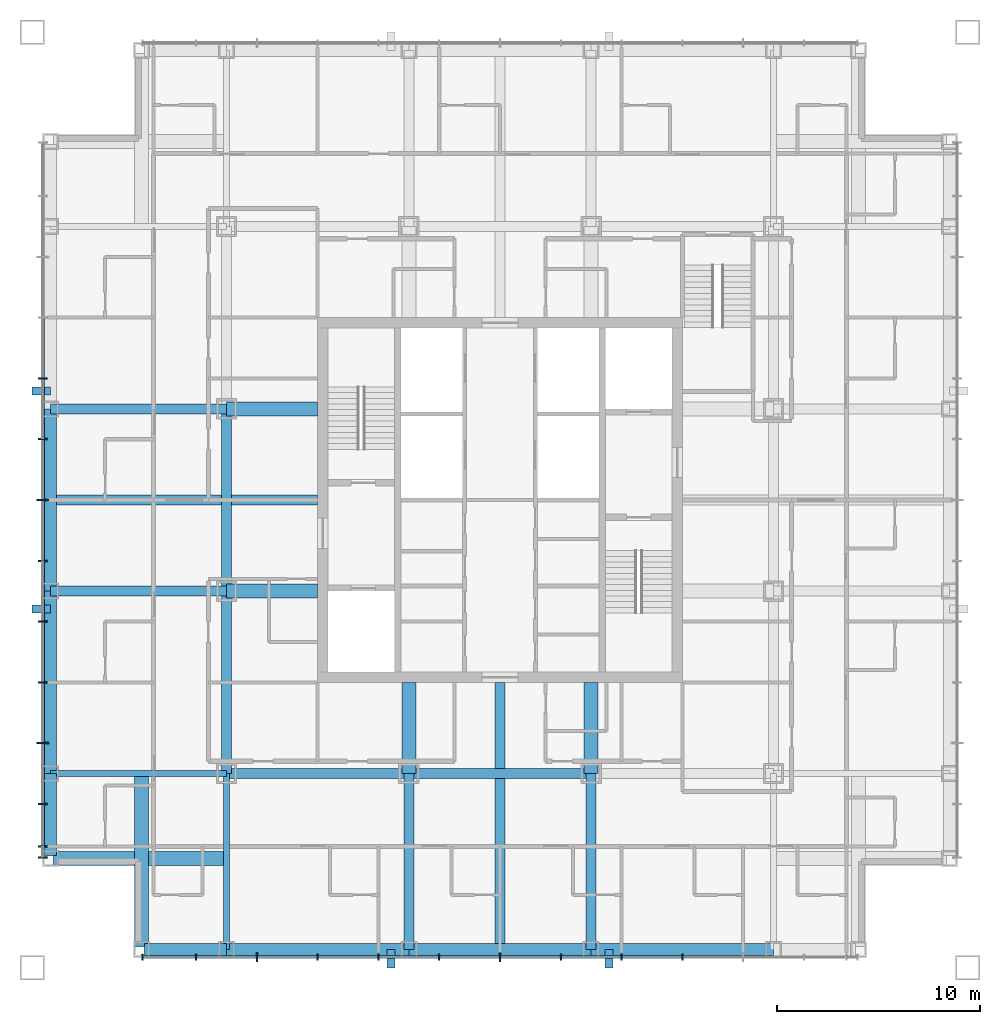
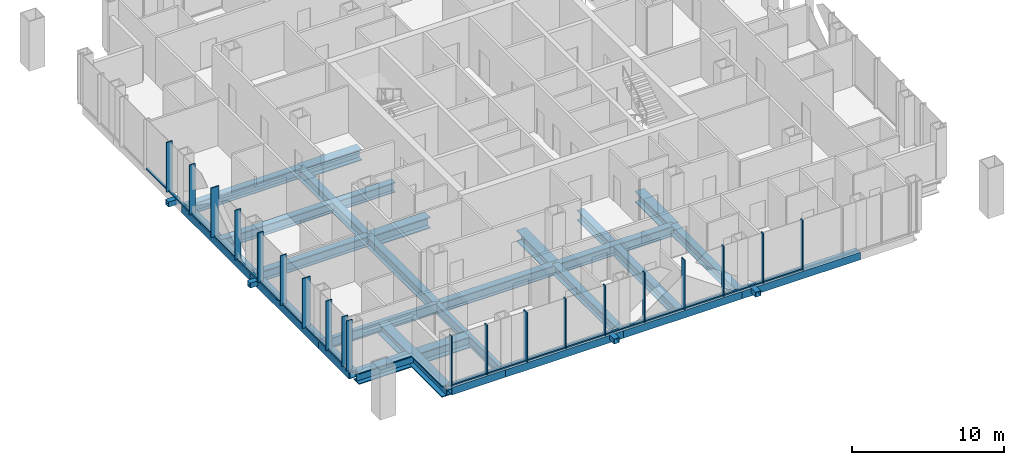
# One storey, part 2 of 17: 42 members, 25 beams, 2 elements without a shape of their own.
"""IFC4 building model written with IfcOpenShell, lengths in metres."""

from ifc_helpers import new_model, si_unit, direction, frame, origin, origin_2d, place, context, subcontext, project, spatial, rectangle, hollow_rectangle, i_section, extrude, material, layer, layer_set, material_profile, profile_set, type_object, element, aggregate, save


model = new_model("IFC4")

# Units and contexts
model_context = context("Model", 3, precision=1e-05, world=origin(), true_north=direction((0.0, 1.0)))
body_context = subcontext(model_context, "Body", "Model", "MODEL_VIEW")
ifc_project = project(units=[si_unit("LENGTHUNIT", "METRE"), si_unit("AREAUNIT", "SQUARE_METRE"), si_unit("VOLUMEUNIT", "CUBIC_METRE"), si_unit("PLANEANGLEUNIT", "RADIAN"), si_unit("MASSUNIT", "GRAM", prefix="KILO")], contexts=[model_context])

# Site, building, storey
site_placement = place(None, origin())
site = spatial("IfcSite", under=ifc_project, at=site_placement, CompositionType="ELEMENT")
building_placement = place(site_placement, origin())
building = spatial("IfcBuilding", under=site, at=building_placement, Name="Malebo Sky Hospital", CompositionType="ELEMENT")
storey_placement = place(building_placement, frame((0.0, 0.0, 189.0)))
storey = spatial("IfcBuildingStorey", under=building, at=storey_placement, Name="L45", CompositionType="ELEMENT", Elevation=189.0)

# Curtain wall, members
ifc_material_1 = material(Name="Anodised aluminium, natural silver", Category="aluminium")
ifc_layer_1 = layer(ifc_material_1, 0.25)
ifc_layer_set_1 = layer_set([ifc_layer_1], Name="WARD CURTAIN WALL EAST AND WEST")
curtain_wall_type_1 = type_object("IfcCurtainWallType", Name="WARD CURTAIN WALL EAST AND WEST", PredefinedType="NOTDEFINED", material=ifc_layer_set_1)
curtain_wall_1_placement = place(storey_placement, origin())
curtain_wall_1 = element("IfcCurtainWall", 1, at=curtain_wall_1_placement, inside=storey, type_object=curtain_wall_type_1, Name="EW curtain wall W", PredefinedType="NOTDEFINED")
ifc_material_profile_1 = material_profile(ifc_material_1, rectangle(XDim=0.14990234375, YDim=0.10009765625, at=origin_2d()), Name="ALUMINIUM TRANSOM 150x100")
ifc_profile_set_1 = profile_set([ifc_material_profile_1], Name="Anodised aluminium, natural silver")
member_type_1 = type_object("IfcMemberType", Name="ALUMINIUM TRANSOM 150x100", PredefinedType="USERDEFINED", material=ifc_profile_set_1)
member_1_placement = place(storey_placement, frame((37.425048828125, 44.9375, 0.050048828125), z_axis=(0.0, 1.0, 0.0), x_axis=(-1.0, 0.0, 0.0)))
member_1 = element("IfcMember", 2, at=member_1_placement, type_object=member_type_1, Name="Transom 2", ObjectType="TRANSOM", PredefinedType="USERDEFINED", context=body_context, shape_type="SweptSolid", body=[
    extrude(rectangle(XDim=0.14990234375, YDim=0.10009765625, at=origin_2d()), origin(), (0.0, 0.0, 1.0), 2.02490234375),
])
member_2_placement = place(storey_placement, frame((37.425048828125, 47.03759765625, 0.050048828125), z_axis=(0.0, 1.0, 0.0), x_axis=(-1.0, 0.0, 0.0)))
member_2 = element("IfcMember", 3, at=member_2_placement, type_object=member_type_1, Name="Transom 3", ObjectType="TRANSOM", PredefinedType="USERDEFINED", context=body_context, shape_type="SweptSolid", body=[
    extrude(rectangle(XDim=0.14990234375, YDim=0.10009765625, at=origin_2d()), origin(), (0.0, 0.0, 1.0), 2.9248046875),
])
member_3_placement = place(storey_placement, frame((37.425048828125, 50.03759765625, 0.050048828125), z_axis=(0.0, 1.0, 0.0), x_axis=(-1.0, 0.0, 0.0)))
member_3 = element("IfcMember", 4, at=member_3_placement, type_object=member_type_1, Name="Transom 4", ObjectType="TRANSOM", PredefinedType="USERDEFINED", context=body_context, shape_type="SweptSolid", body=[
    extrude(rectangle(XDim=0.14990234375, YDim=0.10009765625, at=origin_2d()), origin(), (0.0, 0.0, 1.0), 2.9248046875),
])
member_4_placement = place(storey_placement, frame((37.425048828125, 53.03759765625, 0.050048828125), z_axis=(0.0, 1.0, 0.0), x_axis=(-1.0, 0.0, 0.0)))
member_4 = element("IfcMember", 5, at=member_4_placement, type_object=member_type_1, Name="Transom 5", ObjectType="TRANSOM", PredefinedType="USERDEFINED", context=body_context, shape_type="SweptSolid", body=[
    extrude(rectangle(XDim=0.14990234375, YDim=0.10009765625, at=origin_2d()), origin(), (0.0, 0.0, 1.0), 2.9248046875),
])
member_5_placement = place(storey_placement, frame((37.425048828125, 56.03759765625, 0.050048828125), z_axis=(0.0, 1.0, 0.0), x_axis=(-1.0, 0.0, 0.0)))
member_5 = element("IfcMember", 6, at=member_5_placement, type_object=member_type_1, Name="Transom 6", ObjectType="TRANSOM", PredefinedType="USERDEFINED", context=body_context, shape_type="SweptSolid", body=[
    extrude(rectangle(XDim=0.14990234375, YDim=0.10009765625, at=origin_2d()), origin(), (0.0, 0.0, 1.0), 2.9248046875),
])
member_6_placement = place(storey_placement, frame((37.425048828125, 59.03759765625, 0.050048828125), z_axis=(0.0, 1.0, 0.0), x_axis=(-1.0, 0.0, 0.0)))
member_6 = element("IfcMember", 7, at=member_6_placement, type_object=member_type_1, Name="Transom 7", ObjectType="TRANSOM", PredefinedType="USERDEFINED", context=body_context, shape_type="SweptSolid", body=[
    extrude(rectangle(XDim=0.14990234375, YDim=0.10009765625, at=origin_2d()), origin(), (0.0, 0.0, 1.0), 2.9248046875),
])
member_7_placement = place(storey_placement, frame((37.425048828125, 62.03759765625, 0.050048828125), z_axis=(0.0, 1.0, 0.0), x_axis=(-1.0, 0.0, 0.0)))
member_7 = element("IfcMember", 8, at=member_7_placement, type_object=member_type_1, Name="Transom 8", ObjectType="TRANSOM", PredefinedType="USERDEFINED", context=body_context, shape_type="SweptSolid", body=[
    extrude(rectangle(XDim=0.14990234375, YDim=0.10009765625, at=origin_2d()), origin(), (0.0, 0.0, 1.0), 2.9248046875),
])
member_8_placement = place(storey_placement, frame((37.425048828125, 65.03759765625, 0.050048828125), z_axis=(0.0, 1.0, 0.0), x_axis=(-1.0, 0.0, 0.0)))
member_8 = element("IfcMember", 9, at=member_8_placement, type_object=member_type_1, Name="Transom 9", ObjectType="TRANSOM", PredefinedType="USERDEFINED", context=body_context, shape_type="SweptSolid", body=[
    extrude(rectangle(XDim=0.14990234375, YDim=0.10009765625, at=origin_2d()), origin(), (0.0, 0.0, 1.0), 2.9248046875),
])
member_9_placement = place(storey_placement, frame((37.425048828125, 68.03759765625, 0.050048828125), z_axis=(0.0, 1.0, 0.0), x_axis=(-1.0, 0.0, 0.0)))
member_9 = element("IfcMember", 10, at=member_9_placement, type_object=member_type_1, Name="Transom 10", ObjectType="TRANSOM", PredefinedType="USERDEFINED", context=body_context, shape_type="SweptSolid", body=[
    extrude(rectangle(XDim=0.14990234375, YDim=0.10009765625, at=origin_2d()), origin(), (0.0, 0.0, 1.0), 2.9248046875),
])

ifc_layer_2 = layer(ifc_material_1, 0.25)
ifc_layer_set_2 = layer_set([ifc_layer_2], Name="WARD CURTAIN WALL NORTH AND SOUTH")
curtain_wall_type_2 = type_object("IfcCurtainWallType", Name="WARD CURTAIN WALL NORTH AND SOUTH", PredefinedType="NOTDEFINED", material=ifc_layer_set_2)
curtain_wall_2_placement = place(storey_placement, origin())
curtain_wall_2 = element("IfcCurtainWall", 11, at=curtain_wall_2_placement, inside=storey, type_object=curtain_wall_type_2, Name="NS curtain wall S", PredefinedType="NOTDEFINED")
member_10_placement = place(storey_placement, frame((68.96240234375, 39.425048828125, 0.050048828125), z_axis=(-1.0, 0.0, 0.0), x_axis=(0.0, -1.0, 0.0)))
member_10 = element("IfcMember", 12, at=member_10_placement, type_object=member_type_1, Name="Transom 5", ObjectType="TRANSOM", PredefinedType="USERDEFINED", context=body_context, shape_type="SweptSolid", body=[
    extrude(rectangle(XDim=0.14990234375, YDim=0.10009765625, at=origin_2d()), origin(), (0.0, 0.0, 1.0), 2.9248046875),
])
member_11_placement = place(storey_placement, frame((65.96240234375, 39.425048828125, 0.050048828125), z_axis=(-1.0, 0.0, 0.0), x_axis=(0.0, -1.0, 0.0)))
member_11 = element("IfcMember", 13, at=member_11_placement, type_object=member_type_1, Name="Transom 6", ObjectType="TRANSOM", PredefinedType="USERDEFINED", context=body_context, shape_type="SweptSolid", body=[
    extrude(rectangle(XDim=0.14990234375, YDim=0.10009765625, at=origin_2d()), origin(), (0.0, 0.0, 1.0), 2.9248046875),
])
member_12_placement = place(storey_placement, frame((62.96240234375, 39.425048828125, 0.050048828125), z_axis=(-1.0, 0.0, 0.0), x_axis=(0.0, -1.0, 0.0)))
member_12 = element("IfcMember", 14, at=member_12_placement, type_object=member_type_1, Name="Transom 7", ObjectType="TRANSOM", PredefinedType="USERDEFINED", context=body_context, shape_type="SweptSolid", body=[
    extrude(rectangle(XDim=0.14990234375, YDim=0.10009765625, at=origin_2d()), origin(), (0.0, 0.0, 1.0), 2.9248046875),
])
member_13_placement = place(storey_placement, frame((59.96240234375, 39.425048828125, 0.050048828125), z_axis=(-1.0, 0.0, 0.0), x_axis=(0.0, -1.0, 0.0)))
member_13 = element("IfcMember", 15, at=member_13_placement, type_object=member_type_1, Name="Transom 8", ObjectType="TRANSOM", PredefinedType="USERDEFINED", context=body_context, shape_type="SweptSolid", body=[
    extrude(rectangle(XDim=0.14990234375, YDim=0.10009765625, at=origin_2d()), origin(), (0.0, 0.0, 1.0), 2.9248046875),
])
member_14_placement = place(storey_placement, frame((56.96240234375, 39.425048828125, 0.050048828125), z_axis=(-1.0, 0.0, 0.0), x_axis=(0.0, -1.0, 0.0)))
member_14 = element("IfcMember", 16, at=member_14_placement, type_object=member_type_1, Name="Transom 9", ObjectType="TRANSOM", PredefinedType="USERDEFINED", context=body_context, shape_type="SweptSolid", body=[
    extrude(rectangle(XDim=0.14990234375, YDim=0.10009765625, at=origin_2d()), origin(), (0.0, 0.0, 1.0), 2.9248046875),
])
member_15_placement = place(storey_placement, frame((53.96240234375, 39.425048828125, 0.050048828125), z_axis=(-1.0, 0.0, 0.0), x_axis=(0.0, -1.0, 0.0)))
member_15 = element("IfcMember", 17, at=member_15_placement, type_object=member_type_1, Name="Transom 10", ObjectType="TRANSOM", PredefinedType="USERDEFINED", context=body_context, shape_type="SweptSolid", body=[
    extrude(rectangle(XDim=0.14990234375, YDim=0.10009765625, at=origin_2d()), origin(), (0.0, 0.0, 1.0), 2.9248046875),
])
member_16_placement = place(storey_placement, frame((50.96240234375, 39.425048828125, 0.050048828125), z_axis=(-1.0, 0.0, 0.0), x_axis=(0.0, -1.0, 0.0)))
member_16 = element("IfcMember", 18, at=member_16_placement, type_object=member_type_1, Name="Transom 11", ObjectType="TRANSOM", PredefinedType="USERDEFINED", context=body_context, shape_type="SweptSolid", body=[
    extrude(rectangle(XDim=0.14990234375, YDim=0.10009765625, at=origin_2d()), origin(), (0.0, 0.0, 1.0), 2.9248046875),
])
member_17_placement = place(storey_placement, frame((47.96240234375, 39.425048828125, 0.050048828125), z_axis=(-1.0, 0.0, 0.0), x_axis=(0.0, -1.0, 0.0)))
member_17 = element("IfcMember", 19, at=member_17_placement, type_object=member_type_1, Name="Transom 12", ObjectType="TRANSOM", PredefinedType="USERDEFINED", context=body_context, shape_type="SweptSolid", body=[
    extrude(rectangle(XDim=0.14990234375, YDim=0.10009765625, at=origin_2d()), origin(), (0.0, 0.0, 1.0), 2.9248046875),
])
member_18_placement = place(storey_placement, frame((44.96240234375, 39.425048828125, 0.050048828125), z_axis=(-1.0, 0.0, 0.0), x_axis=(0.0, -1.0, 0.0)))
member_18 = element("IfcMember", 20, at=member_18_placement, type_object=member_type_1, Name="Transom 13", ObjectType="TRANSOM", PredefinedType="USERDEFINED", context=body_context, shape_type="SweptSolid", body=[
    extrude(rectangle(XDim=0.14990234375, YDim=0.10009765625, at=origin_2d()), origin(), (0.0, 0.0, 1.0), 2.58740234375),
])

# Members
ifc_material_2 = material(Name="Steel S355", Category="steel")
ifc_material_profile_2 = material_profile(ifc_material_2, hollow_rectangle(XDim=0.39990234375, YDim=0.39990234375, WallThickness=0.02001953125, at=origin_2d()), Name="SHS 400x20")
ifc_profile_set_2 = profile_set([ifc_material_profile_2], Name="Steel S355")
member_type_2 = type_object("IfcMemberType", Name="BRACE STRUT SHS 400x20", PredefinedType="STRUT", material=ifc_profile_set_2)
for number, where, z_axis, x_axis, name in (
    (21, (54.62548828125, 38.89990234375, -0.39990234375), (0.0, 1.0, 0.0), (-1.0, 0.0, 0.0), "Brace strut CS1 L45"),
    (22, (65.37451171875, 38.89990234375, -0.39990234375), (0.0, 1.0, 0.0), (-1.0, 0.0, 0.0), "Brace strut CS2 L45"),
    (23, (36.89990234375, 67.37451171875, -0.39990234375), (1.0, 0.0, 0.0), (0.0, 1.0, 0.0), "Brace strut CW1 L45"),
    (24, (36.89990234375, 56.62548828125, -0.39990234375), (1.0, 0.0, 0.0), (0.0, 1.0, 0.0), "Brace strut CW2 L45"),
):
    element("IfcMember", number, at=place(storey_placement, frame(where, z_axis=z_axis, x_axis=x_axis)), inside=storey, type_object=member_type_2, Name=name, PredefinedType="STRUT", context=body_context, shape_type="SweptSolid", body=[
        extrude(hollow_rectangle(XDim=0.39990234375, YDim=0.39990234375, WallThickness=0.02001953125, at=origin_2d()), origin(), (0.0, 0.0, 1.0), 0.900146484375),
    ])

# Member
ifc_material_profile_3 = material_profile(ifc_material_1, rectangle(XDim=0.074951171875, YDim=0.300048828125, at=origin_2d()), Name="CW1 ALUMINIUM FIN MULLION 75x300")
ifc_profile_set_3 = profile_set([ifc_material_profile_3], Name="Anodised aluminium, natural silver")
member_type_3 = type_object("IfcMemberType", Name="CW1 ALUMINIUM FIN MULLION 75x300", PredefinedType="MULLION", material=ifc_profile_set_3)
member_19_placement = place(storey_placement, frame((69.0, 39.425048828125, 0.0), z_axis=(0.0, 0.0, 1.0), x_axis=(-1.0, 0.0, 0.0)))
member_19 = element("IfcMember", 25, at=member_19_placement, type_object=member_type_3, Name="Fin mullion 5", PredefinedType="MULLION", context=body_context, shape_type="SweptSolid", body=[
    extrude(rectangle(XDim=0.074951171875, YDim=0.300048828125, at=origin_2d()), origin(), (0.0, 0.0, 1.0), 4.0),
])

member_20_placement = place(storey_placement, frame((66.0, 39.425048828125, 0.0), z_axis=(0.0, 0.0, 1.0), x_axis=(-1.0, 0.0, 0.0)))
member_20 = element("IfcMember", 26, at=member_20_placement, type_object=member_type_3, Name="Fin mullion 6", PredefinedType="MULLION", context=body_context, shape_type="SweptSolid", body=[
    extrude(rectangle(XDim=0.074951171875, YDim=0.300048828125, at=origin_2d()), origin(), (0.0, 0.0, 1.0), 4.0),
])

member_21_placement = place(storey_placement, frame((63.0, 39.425048828125, 0.0), z_axis=(0.0, 0.0, 1.0), x_axis=(-1.0, 0.0, 0.0)))
member_21 = element("IfcMember", 27, at=member_21_placement, type_object=member_type_3, Name="Fin mullion 7", PredefinedType="MULLION", context=body_context, shape_type="SweptSolid", body=[
    extrude(rectangle(XDim=0.074951171875, YDim=0.300048828125, at=origin_2d()), origin(), (0.0, 0.0, 1.0), 4.0),
])

member_22_placement = place(storey_placement, frame((57.0, 39.425048828125, 0.0), z_axis=(0.0, 0.0, 1.0), x_axis=(-1.0, 0.0, 0.0)))
member_22 = element("IfcMember", 28, at=member_22_placement, type_object=member_type_3, Name="Fin mullion 9", PredefinedType="MULLION", context=body_context, shape_type="SweptSolid", body=[
    extrude(rectangle(XDim=0.074951171875, YDim=0.300048828125, at=origin_2d()), origin(), (0.0, 0.0, 1.0), 4.0),
])

member_23_placement = place(storey_placement, frame((54.0, 39.425048828125, 0.0), z_axis=(0.0, 0.0, 1.0), x_axis=(-1.0, 0.0, 0.0)))
member_23 = element("IfcMember", 29, at=member_23_placement, type_object=member_type_3, Name="Fin mullion 10", PredefinedType="MULLION", context=body_context, shape_type="SweptSolid", body=[
    extrude(rectangle(XDim=0.074951171875, YDim=0.300048828125, at=origin_2d()), origin(), (0.0, 0.0, 1.0), 4.0),
])

member_24_placement = place(storey_placement, frame((51.0, 39.425048828125, 0.0), z_axis=(0.0, 0.0, 1.0), x_axis=(-1.0, 0.0, 0.0)))
member_24 = element("IfcMember", 30, at=member_24_placement, type_object=member_type_3, Name="Fin mullion 11", PredefinedType="MULLION", context=body_context, shape_type="SweptSolid", body=[
    extrude(rectangle(XDim=0.074951171875, YDim=0.300048828125, at=origin_2d()), origin(), (0.0, 0.0, 1.0), 4.0),
])

member_25_placement = place(storey_placement, frame((45.0, 39.425048828125, 0.0), z_axis=(0.0, 0.0, 1.0), x_axis=(-1.0, 0.0, 0.0)))
member_25 = element("IfcMember", 31, at=member_25_placement, type_object=member_type_3, Name="Fin mullion 13", PredefinedType="MULLION", context=body_context, shape_type="SweptSolid", body=[
    extrude(rectangle(XDim=0.074951171875, YDim=0.300048828125, at=origin_2d()), origin(), (0.0, 0.0, 1.0), 4.0),
])

member_26_placement = place(storey_placement, frame((42.33740234375, 39.425048828125, 0.0), z_axis=(0.0, 0.0, 1.0), x_axis=(-1.0, 0.0, 0.0)))
member_26 = element("IfcMember", 32, at=member_26_placement, type_object=member_type_3, Name="Fin mullion 14", PredefinedType="MULLION", context=body_context, shape_type="SweptSolid", body=[
    extrude(rectangle(XDim=0.074951171875, YDim=0.300048828125, at=origin_2d()), origin(), (0.0, 0.0, 1.0), 4.0),
])

ifc_material_profile_4 = material_profile(ifc_material_1, rectangle(XDim=0.074951171875, YDim=0.449951171875, at=origin_2d()), Name="CW1 ALUMINIUM FIN MULLION 75x450")
ifc_profile_set_4 = profile_set([ifc_material_profile_4], Name="Anodised aluminium, natural silver")
member_type_4 = type_object("IfcMemberType", Name="CW1 ALUMINIUM FIN MULLION 75x450", PredefinedType="MULLION", material=ifc_profile_set_4)
member_27_placement = place(storey_placement, frame((60.0, 39.425048828125, 0.0), z_axis=(0.0, 0.0, 1.0), x_axis=(-1.0, 0.0, 0.0)))
member_27 = element("IfcMember", 33, at=member_27_placement, type_object=member_type_4, Name="Fin mullion 8", PredefinedType="MULLION", context=body_context, shape_type="SweptSolid", body=[
    extrude(rectangle(XDim=0.074951171875, YDim=0.449951171875, at=origin_2d()), origin(), (0.0, 0.0, 1.0), 4.0),
])

member_28_placement = place(storey_placement, frame((48.0, 39.425048828125, 0.0), z_axis=(0.0, 0.0, 1.0), x_axis=(-1.0, 0.0, 0.0)))
member_28 = element("IfcMember", 34, at=member_28_placement, type_object=member_type_4, Name="Fin mullion 12", PredefinedType="MULLION", context=body_context, shape_type="SweptSolid", body=[
    extrude(rectangle(XDim=0.074951171875, YDim=0.449951171875, at=origin_2d()), origin(), (0.0, 0.0, 1.0), 4.0),
])

aggregate(curtain_wall_2, [member_19, member_20, member_21, member_27, member_22, member_23, member_24, member_28, member_25, member_26, member_10, member_11, member_12, member_13, member_14, member_15, member_16, member_17, member_18])

ifc_material_profile_5 = material_profile(ifc_material_1, rectangle(XDim=0.074951171875, YDim=0.449951171875, at=origin_2d()), Name="CW2 ALUMINIUM FIN MULLION 75x450")
ifc_profile_set_5 = profile_set([ifc_material_profile_5], Name="Anodised aluminium, natural silver")
member_type_5 = type_object("IfcMemberType", Name="CW2 ALUMINIUM FIN MULLION 75x450", PredefinedType="MULLION", material=ifc_profile_set_5)
member_29_placement = place(storey_placement, frame((37.425048828125, 44.33740234375, 0.0), z_axis=(0.0, 0.0, 1.0), x_axis=(0.0, 1.0, 0.0)))
member_29 = element("IfcMember", 35, at=member_29_placement, type_object=member_type_5, Name="Fin mullion 1", PredefinedType="MULLION", context=body_context, shape_type="SweptSolid", body=[
    extrude(rectangle(XDim=0.074951171875, YDim=0.449951171875, at=origin_2d()), origin(), (0.0, 0.0, 1.0), 4.0),
])

member_30_placement = place(storey_placement, frame((37.425048828125, 44.89990234375, 0.0), z_axis=(0.0, 0.0, 1.0), x_axis=(0.0, 1.0, 0.0)))
member_30 = element("IfcMember", 36, at=member_30_placement, type_object=member_type_5, Name="Fin mullion 2", PredefinedType="MULLION", context=body_context, shape_type="SweptSolid", body=[
    extrude(rectangle(XDim=0.074951171875, YDim=0.449951171875, at=origin_2d()), origin(), (0.0, 0.0, 1.0), 4.0),
])

member_31_placement = place(storey_placement, frame((37.425048828125, 47.0, 0.0), z_axis=(0.0, 0.0, 1.0), x_axis=(0.0, 1.0, 0.0)))
member_31 = element("IfcMember", 37, at=member_31_placement, type_object=member_type_5, Name="Fin mullion 3", PredefinedType="MULLION", context=body_context, shape_type="SweptSolid", body=[
    extrude(rectangle(XDim=0.074951171875, YDim=0.449951171875, at=origin_2d()), origin(), (0.0, 0.0, 1.0), 4.0),
])

member_32_placement = place(storey_placement, frame((37.425048828125, 53.0, 0.0), z_axis=(0.0, 0.0, 1.0), x_axis=(0.0, 1.0, 0.0)))
member_32 = element("IfcMember", 38, at=member_32_placement, type_object=member_type_5, Name="Fin mullion 5", PredefinedType="MULLION", context=body_context, shape_type="SweptSolid", body=[
    extrude(rectangle(XDim=0.074951171875, YDim=0.449951171875, at=origin_2d()), origin(), (0.0, 0.0, 1.0), 4.0),
])

member_33_placement = place(storey_placement, frame((37.425048828125, 56.0, 0.0), z_axis=(0.0, 0.0, 1.0), x_axis=(0.0, 1.0, 0.0)))
member_33 = element("IfcMember", 39, at=member_33_placement, type_object=member_type_5, Name="Fin mullion 6", PredefinedType="MULLION", context=body_context, shape_type="SweptSolid", body=[
    extrude(rectangle(XDim=0.074951171875, YDim=0.449951171875, at=origin_2d()), origin(), (0.0, 0.0, 1.0), 4.0),
])

member_34_placement = place(storey_placement, frame((37.425048828125, 59.0, 0.0), z_axis=(0.0, 0.0, 1.0), x_axis=(0.0, 1.0, 0.0)))
member_34 = element("IfcMember", 40, at=member_34_placement, type_object=member_type_5, Name="Fin mullion 7", PredefinedType="MULLION", context=body_context, shape_type="SweptSolid", body=[
    extrude(rectangle(XDim=0.074951171875, YDim=0.449951171875, at=origin_2d()), origin(), (0.0, 0.0, 1.0), 4.0),
])

member_35_placement = place(storey_placement, frame((37.425048828125, 65.0, 0.0), z_axis=(0.0, 0.0, 1.0), x_axis=(0.0, 1.0, 0.0)))
member_35 = element("IfcMember", 41, at=member_35_placement, type_object=member_type_5, Name="Fin mullion 9", PredefinedType="MULLION", context=body_context, shape_type="SweptSolid", body=[
    extrude(rectangle(XDim=0.074951171875, YDim=0.449951171875, at=origin_2d()), origin(), (0.0, 0.0, 1.0), 4.0),
])

member_36_placement = place(storey_placement, frame((37.425048828125, 68.0, 0.0), z_axis=(0.0, 0.0, 1.0), x_axis=(0.0, 1.0, 0.0)))
member_36 = element("IfcMember", 42, at=member_36_placement, type_object=member_type_5, Name="Fin mullion 10", PredefinedType="MULLION", context=body_context, shape_type="SweptSolid", body=[
    extrude(rectangle(XDim=0.074951171875, YDim=0.449951171875, at=origin_2d()), origin(), (0.0, 0.0, 1.0), 4.0),
])

ifc_material_profile_6 = material_profile(ifc_material_1, rectangle(XDim=0.074951171875, YDim=0.60009765625, at=origin_2d()), Name="CW2 ALUMINIUM FIN MULLION 75x600")
ifc_profile_set_6 = profile_set([ifc_material_profile_6], Name="Anodised aluminium, natural silver")
member_type_6 = type_object("IfcMemberType", Name="CW2 ALUMINIUM FIN MULLION 75x600", PredefinedType="MULLION", material=ifc_profile_set_6)
member_37_placement = place(storey_placement, frame((37.425048828125, 50.0, 0.0), z_axis=(0.0, 0.0, 1.0), x_axis=(0.0, 1.0, 0.0)))
member_37 = element("IfcMember", 43, at=member_37_placement, type_object=member_type_6, Name="Fin mullion 4", PredefinedType="MULLION", context=body_context, shape_type="SweptSolid", body=[
    extrude(rectangle(XDim=0.074951171875, YDim=0.60009765625, at=origin_2d()), origin(), (0.0, 0.0, 1.0), 4.0),
])

member_38_placement = place(storey_placement, frame((37.425048828125, 62.0, 0.0), z_axis=(0.0, 0.0, 1.0), x_axis=(0.0, 1.0, 0.0)))
member_38 = element("IfcMember", 44, at=member_38_placement, type_object=member_type_6, Name="Fin mullion 8", PredefinedType="MULLION", context=body_context, shape_type="SweptSolid", body=[
    extrude(rectangle(XDim=0.074951171875, YDim=0.60009765625, at=origin_2d()), origin(), (0.0, 0.0, 1.0), 4.0),
])

aggregate(curtain_wall_1, [member_29, member_30, member_31, member_37, member_32, member_33, member_34, member_38, member_35, member_36, member_1, member_2, member_3, member_4, member_5, member_6, member_7, member_8, member_9])

# Beams
ifc_material_3 = material(Name="Steel S460", Category="steel")
ifc_material_profile_7 = material_profile(ifc_material_3, hollow_rectangle(XDim=0.60009765625, YDim=0.60009765625, WallThickness=0.0400390625, at=origin_2d()), Name="BOX 600x600x40")
ifc_profile_set_7 = profile_set([ifc_material_profile_7], Name="Steel S460")
beam_type_1 = type_object("IfcBeamType", Name="EDGE BEAM BOX 600x600x40", PredefinedType="BEAM", material=ifc_profile_set_7)
beam_1_placement = place(storey_placement, frame((37.800048828125, 44.449951171875, -0.550048828125), z_axis=(0.0, 1.0, 0.0), x_axis=(-1.0, 0.0, 0.0)))
element("IfcBeam", 45, at=beam_1_placement, inside=storey, type_object=beam_type_1, Name="Beam 000 L45", PredefinedType="BEAM", context=body_context, shape_type="SweptSolid", body=[
    extrude(hollow_rectangle(XDim=0.60009765625, YDim=0.60009765625, WallThickness=0.0400390625, at=origin_2d()), origin(), (0.0, 0.0, 1.0), 4.050048828125),
])
for number, where, z_axis, x_axis, name in (
    (46, (37.800048828125, 48.5, -0.550048828125), (0.0, 1.0, 0.0), (-1.0, 0.0, 0.0), "Beam 001 L45"),
    (47, (37.800048828125, 57.5, -0.550048828125), (0.0, 1.0, 0.0), (-1.0, 0.0, 0.0), "Beam 002 L45"),
):
    element("IfcBeam", number, at=place(storey_placement, frame(where, z_axis=z_axis, x_axis=x_axis)), inside=storey, type_object=beam_type_1, Name=name, PredefinedType="BEAM", context=body_context, shape_type="SweptSolid", body=[
        extrude(hollow_rectangle(XDim=0.60009765625, YDim=0.60009765625, WallThickness=0.0400390625, at=origin_2d()), origin(), (0.0, 0.0, 1.0), 9.0),
    ])
beam_2_placement = place(storey_placement, frame((42.449951171875, 39.800048828125, -0.550048828125), z_axis=(1.0, 0.0, 0.0), x_axis=(0.0, 1.0, 0.0)))
element("IfcBeam", 48, at=beam_2_placement, inside=storey, type_object=beam_type_1, Name="Beam 034 L45", PredefinedType="BEAM", context=body_context, shape_type="SweptSolid", body=[
    extrude(hollow_rectangle(XDim=0.60009765625, YDim=0.60009765625, WallThickness=0.0400390625, at=origin_2d()), origin(), (0.0, 0.0, 1.0), 4.050048828125),
])
for number, where, z_axis, x_axis, name in (
    (49, (46.5, 39.800048828125, -0.550048828125), (1.0, 0.0, 0.0), (0.0, 1.0, 0.0), "Beam 035 L45"),
    (50, (55.5, 39.800048828125, -0.550048828125), (1.0, 0.0, 0.0), (0.0, 1.0, 0.0), "Beam 036 L45"),
    (51, (64.5, 39.800048828125, -0.550048828125), (1.0, 0.0, 0.0), (0.0, 1.0, 0.0), "Beam 037 L45"),
):
    element("IfcBeam", number, at=place(storey_placement, frame(where, z_axis=z_axis, x_axis=x_axis)), inside=storey, type_object=beam_type_1, Name=name, PredefinedType="BEAM", context=body_context, shape_type="SweptSolid", body=[
        extrude(hollow_rectangle(XDim=0.60009765625, YDim=0.60009765625, WallThickness=0.0400390625, at=origin_2d()), origin(), (0.0, 0.0, 1.0), 9.0),
    ])
ifc_material_profile_8 = material_profile(ifc_material_2, i_section(OverallWidth=0.5, OverallDepth=0.800048828125, WebThickness=0.030029296875, FlangeThickness=0.050048828125, at=origin_2d()), Name="PG 800x500x30x50")
ifc_profile_set_8 = profile_set([ifc_material_profile_8], Name="Steel S355")
beam_type_2 = type_object("IfcBeamType", Name="FLOOR BEAM PG 800x500x30x50", PredefinedType="BEAM", material=ifc_profile_set_8)
beam_3_placement = place(storey_placement, frame((46.5, 48.5, -0.64990234375), z_axis=(0.0, 1.0, 0.0), x_axis=(-1.0, 0.0, 0.0)))
element("IfcBeam", 52, at=beam_3_placement, inside=storey, type_object=beam_type_2, Name="Beam 008 L45", PredefinedType="BEAM", context=body_context, shape_type="SweptSolid", body=[
    extrude(i_section(OverallWidth=0.5, OverallDepth=0.800048828125, WebThickness=0.030029296875, FlangeThickness=0.050048828125, at=origin_2d()), origin(), (0.0, 0.0, 1.0), 9.0),
])
beam_4_placement = place(storey_placement, frame((55.5, 39.800048828125, -0.64990234375), z_axis=(0.0, 1.0, 0.0), x_axis=(-1.0, 0.0, 0.0)))
element("IfcBeam", 53, at=beam_4_placement, inside=storey, type_object=beam_type_2, Name="Beam 012 L45", PredefinedType="BEAM", context=body_context, shape_type="SweptSolid", body=[
    extrude(i_section(OverallWidth=0.5, OverallDepth=0.800048828125, WebThickness=0.030029296875, FlangeThickness=0.050048828125, at=origin_2d()), origin(), (0.0, 0.0, 1.0), 8.699951171875),
])
beam_5_placement = place(storey_placement, frame((60.0, 39.800048828125, -0.64990234375), z_axis=(0.0, 1.0, 0.0), x_axis=(-1.0, 0.0, 0.0)))
element("IfcBeam", 54, at=beam_5_placement, inside=storey, type_object=beam_type_2, Name="Beam 016 L45", PredefinedType="BEAM", context=body_context, shape_type="SweptSolid", body=[
    extrude(i_section(OverallWidth=0.5, OverallDepth=0.800048828125, WebThickness=0.030029296875, FlangeThickness=0.050048828125, at=origin_2d()), origin(), (0.0, 0.0, 1.0), 13.199951171875),
])
beam_6_placement = place(storey_placement, frame((64.5, 39.800048828125, -0.64990234375), z_axis=(0.0, 1.0, 0.0), x_axis=(-1.0, 0.0, 0.0)))
element("IfcBeam", 55, at=beam_6_placement, inside=storey, type_object=beam_type_2, Name="Beam 018 L45", PredefinedType="BEAM", context=body_context, shape_type="SweptSolid", body=[
    extrude(i_section(OverallWidth=0.5, OverallDepth=0.800048828125, WebThickness=0.030029296875, FlangeThickness=0.050048828125, at=origin_2d()), origin(), (0.0, 0.0, 1.0), 8.699951171875),
])
beam_7_placement = place(storey_placement, frame((46.5, 48.5, -0.64990234375), z_axis=(1.0, 0.0, 0.0), x_axis=(0.0, 1.0, 0.0)))
element("IfcBeam", 56, at=beam_7_placement, inside=storey, type_object=beam_type_2, Name="Beam 042 L45", PredefinedType="BEAM", context=body_context, shape_type="SweptSolid", body=[
    extrude(i_section(OverallWidth=0.5, OverallDepth=0.800048828125, WebThickness=0.030029296875, FlangeThickness=0.050048828125, at=origin_2d()), origin(), (0.0, 0.0, 1.0), 9.0),
])
beam_8_placement = place(storey_placement, frame((37.800048828125, 57.5, -0.64990234375), z_axis=(1.0, 0.0, 0.0), x_axis=(0.0, 1.0, 0.0)))
element("IfcBeam", 57, at=beam_8_placement, inside=storey, type_object=beam_type_2, Name="Beam 046 L45", PredefinedType="BEAM", context=body_context, shape_type="SweptSolid", body=[
    extrude(i_section(OverallWidth=0.5, OverallDepth=0.800048828125, WebThickness=0.030029296875, FlangeThickness=0.050048828125, at=origin_2d()), origin(), (0.0, 0.0, 1.0), 8.699951171875),
])
beam_9_placement = place(storey_placement, frame((37.800048828125, 62.0, -0.64990234375), z_axis=(1.0, 0.0, 0.0), x_axis=(0.0, 1.0, 0.0)))
element("IfcBeam", 58, at=beam_9_placement, inside=storey, type_object=beam_type_2, Name="Beam 050 L45", PredefinedType="BEAM", context=body_context, shape_type="SweptSolid", body=[
    extrude(i_section(OverallWidth=0.5, OverallDepth=0.800048828125, WebThickness=0.030029296875, FlangeThickness=0.050048828125, at=origin_2d()), origin(), (0.0, 0.0, 1.0), 13.199951171875),
])
beam_10_placement = place(storey_placement, frame((37.800048828125, 66.5, -0.64990234375), z_axis=(1.0, 0.0, 0.0), x_axis=(0.0, 1.0, 0.0)))
element("IfcBeam", 59, at=beam_10_placement, inside=storey, type_object=beam_type_2, Name="Beam 052 L45", PredefinedType="BEAM", context=body_context, shape_type="SweptSolid", body=[
    extrude(i_section(OverallWidth=0.5, OverallDepth=0.800048828125, WebThickness=0.030029296875, FlangeThickness=0.050048828125, at=origin_2d()), origin(), (0.0, 0.0, 1.0), 8.699951171875),
])
ifc_material_profile_9 = material_profile(ifc_material_2, i_section(OverallWidth=0.699951171875, OverallDepth=0.89990234375, WebThickness=0.0400390625, FlangeThickness=0.070068359375, at=origin_2d()), Name="PG 900x700x40x70")
ifc_profile_set_9 = profile_set([ifc_material_profile_9], Name="Steel S355")
beam_type_3 = type_object("IfcBeamType", Name="FLOOR BEAM PG 900x700x40x70", PredefinedType="BEAM", material=ifc_profile_set_9)
beam_11_placement = place(storey_placement, frame((42.300048828125, 39.949951171875, -0.699951171875), z_axis=(0.0, 1.0, 0.0), x_axis=(-1.0, 0.0, 0.0)))
element("IfcBeam", 60, at=beam_11_placement, inside=storey, type_object=beam_type_3, Name="Beam 005 L45", PredefinedType="BEAM", context=body_context, shape_type="SweptSolid", body=[
    extrude(i_section(OverallWidth=0.699951171875, OverallDepth=0.89990234375, WebThickness=0.0400390625, FlangeThickness=0.070068359375, at=origin_2d()), origin(), (0.0, 0.0, 1.0), 8.550048828125),
])
for number, where, z_axis, x_axis, name in (
    (61, (55.5, 48.5, -0.699951171875), (0.0, 1.0, 0.0), (-1.0, 0.0, 0.0), "Beam 013 L45"),
    (62, (64.5, 48.5, -0.699951171875), (0.0, 1.0, 0.0), (-1.0, 0.0, 0.0), "Beam 019 L45"),
):
    element("IfcBeam", number, at=place(storey_placement, frame(where, z_axis=z_axis, x_axis=x_axis)), inside=storey, type_object=beam_type_3, Name=name, PredefinedType="BEAM", context=body_context, shape_type="SweptSolid", body=[
        extrude(i_section(OverallWidth=0.699951171875, OverallDepth=0.89990234375, WebThickness=0.0400390625, FlangeThickness=0.070068359375, at=origin_2d()), origin(), (0.0, 0.0, 1.0), 4.5),
    ])
beam_12_placement = place(storey_placement, frame((37.949951171875, 44.300048828125, -0.699951171875), z_axis=(1.0, 0.0, 0.0), x_axis=(0.0, 1.0, 0.0)))
element("IfcBeam", 63, at=beam_12_placement, inside=storey, type_object=beam_type_3, Name="Beam 039 L45", PredefinedType="BEAM", context=body_context, shape_type="SweptSolid", body=[
    extrude(i_section(OverallWidth=0.699951171875, OverallDepth=0.89990234375, WebThickness=0.0400390625, FlangeThickness=0.070068359375, at=origin_2d()), origin(), (0.0, 0.0, 1.0), 8.550048828125),
])
for number, where, z_axis, x_axis, name in (
    (64, (46.5, 57.5, -0.699951171875), (1.0, 0.0, 0.0), (0.0, 1.0, 0.0), "Beam 047 L45"),
    (65, (46.5, 66.5, -0.699951171875), (1.0, 0.0, 0.0), (0.0, 1.0, 0.0), "Beam 053 L45"),
):
    element("IfcBeam", number, at=place(storey_placement, frame(where, z_axis=z_axis, x_axis=x_axis)), inside=storey, type_object=beam_type_3, Name=name, PredefinedType="BEAM", context=body_context, shape_type="SweptSolid", body=[
        extrude(i_section(OverallWidth=0.699951171875, OverallDepth=0.89990234375, WebThickness=0.0400390625, FlangeThickness=0.070068359375, at=origin_2d()), origin(), (0.0, 0.0, 1.0), 4.5),
    ])
ifc_material_profile_10 = material_profile(ifc_material_2, i_section(OverallWidth=0.300048828125, OverallDepth=0.800048828125, WebThickness=0.017578125, FlangeThickness=0.032958984375, FilletRadius=0.030029296875, at=origin_2d()), Name="HEB 800")
ifc_profile_set_10 = profile_set([ifc_material_profile_10], Name="Steel S355")
beam_type_4 = type_object("IfcBeamType", Name="FLOOR GIRDER HEB 800", PredefinedType="BEAM", material=ifc_profile_set_10)
for number, where, z_axis, x_axis, name in (
    (66, (46.5, 39.800048828125, -0.64990234375), (0.0, 1.0, 0.0), (-1.0, 0.0, 0.0), "Beam 007 L45"),
    (67, (37.800048828125, 48.5, -0.64990234375), (1.0, 0.0, 0.0), (0.0, 1.0, 0.0), "Beam 041 L45"),
):
    element("IfcBeam", number, at=place(storey_placement, frame(where, z_axis=z_axis, x_axis=x_axis)), inside=storey, type_object=beam_type_4, Name=name, PredefinedType="BEAM", context=body_context, shape_type="SweptSolid", body=[
        extrude(i_section(OverallWidth=0.300048828125, OverallDepth=0.800048828125, WebThickness=0.017578125, FlangeThickness=0.032958984375, FilletRadius=0.030029296875, at=origin_2d()), origin(), (0.0, 0.0, 1.0), 8.699951171875),
    ])
ifc_material_profile_11 = material_profile(ifc_material_2, i_section(OverallWidth=0.5, OverallDepth=0.800048828125, WebThickness=0.030029296875, FlangeThickness=0.050048828125, at=origin_2d()), Name="PG 800x500x30x50")
ifc_profile_set_11 = profile_set([ifc_material_profile_11], Name="Steel S355")
beam_type_5 = type_object("IfcBeamType", Name="RING GIRDER PG 800x500x30x50", PredefinedType="BEAM", material=ifc_profile_set_11)
for number, where, z_axis, x_axis, name in (
    (68, (46.5, 57.5, -0.64990234375), (0.0, 1.0, 0.0), (-1.0, 0.0, 0.0), "Beam 009 L45"),
    (69, (55.5, 48.5, -0.64990234375), (1.0, 0.0, 0.0), (0.0, 1.0, 0.0), "Beam 043 L45"),
):
    element("IfcBeam", number, at=place(storey_placement, frame(where, z_axis=z_axis, x_axis=x_axis)), inside=storey, type_object=beam_type_5, Name=name, PredefinedType="BEAM", context=body_context, shape_type="SweptSolid", body=[
        extrude(i_section(OverallWidth=0.5, OverallDepth=0.800048828125, WebThickness=0.030029296875, FlangeThickness=0.050048828125, at=origin_2d()), origin(), (0.0, 0.0, 1.0), 9.0),
    ])

save(model, "model.ifc")
